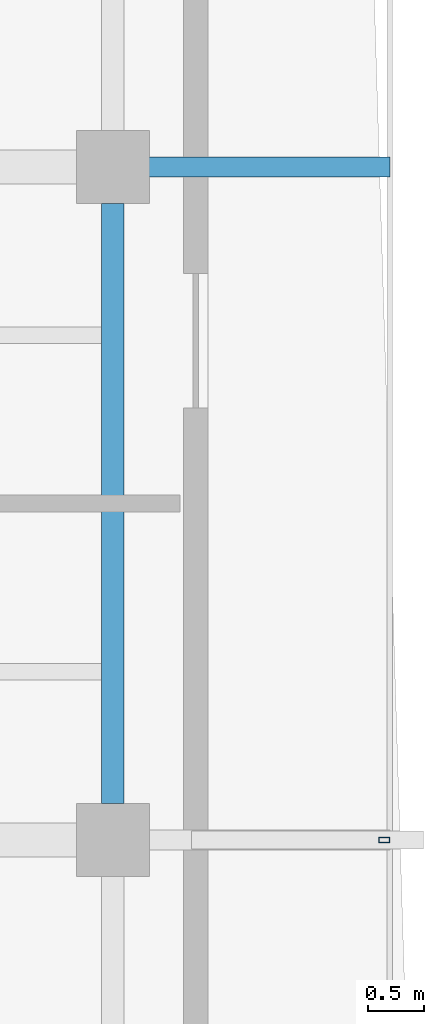
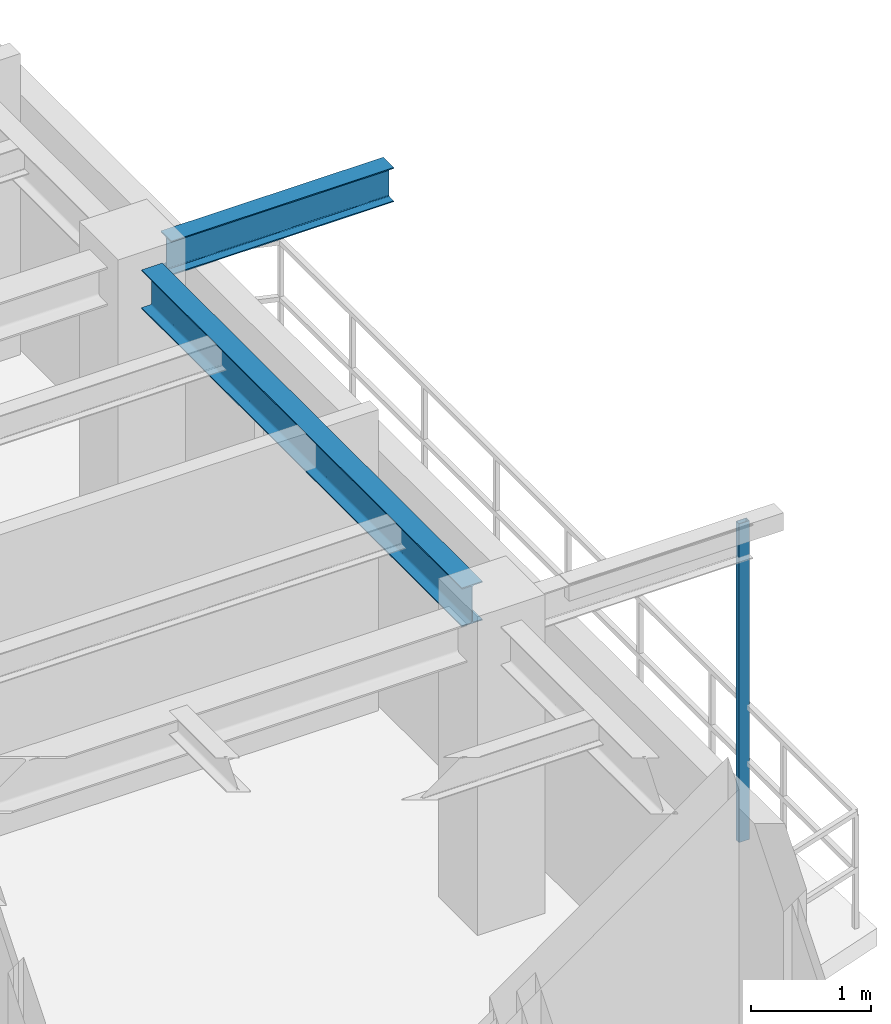
# One storey, part 7 of 14: 2 beams, 1 member.
"""IFC4 building model written with IfcOpenShell, lengths in metres."""

from ifc_helpers import new_model, si_unit, direction, frame, origin, origin_2d, place, context, subcontext, project, spatial, hollow_rectangle, i_section, extrude, source, transform, mapped, material, material_profile, profile_set, type_object, element, save


model = new_model("IFC4")

# Units and contexts
model_context = context("Model", 3, precision=1e-05, world=origin(), true_north=direction((0.0, 1.0)))
body_context = subcontext(model_context, "Body", "Model", "MODEL_VIEW")
ifc_project = project(units=[si_unit("LENGTHUNIT", "METRE"), si_unit("AREAUNIT", "SQUARE_METRE"), si_unit("VOLUMEUNIT", "CUBIC_METRE"), si_unit("PLANEANGLEUNIT", "RADIAN"), si_unit("MASSUNIT", "GRAM", prefix="KILO"), si_unit("THERMODYNAMICTEMPERATUREUNIT", "KELVIN"), si_unit("POWERUNIT", "WATT")], contexts=[model_context])

# Site, building, storey
site_placement = place(None, origin())
site = spatial("IfcSite", under=ifc_project, at=site_placement, CompositionType="ELEMENT")
building_placement = place(site_placement, origin())
building = spatial("IfcBuilding", under=site, at=building_placement, Name="Qiaomeng Ring Towers", CompositionType="ELEMENT")
storey_placement = place(building_placement, frame((0.0, 0.0, 240.5)))
storey = spatial("IfcBuildingStorey", under=building, at=storey_placement, Name="L70", CompositionType="ELEMENT", Elevation=240.5)

# Beams
ifc_material_1 = material(Name="Steel Q355B", Category="steel")
ifc_material_profile_1 = material_profile(ifc_material_1, i_section(OverallWidth=0.198974609375, OverallDepth=0.39599609375, WebThickness=0.007080078125, FlangeThickness=0.010986328125, FilletRadius=0.01611328125, at=origin_2d()), Name="HN 396x199x7x11")
ifc_profile_set_1 = profile_set([ifc_material_profile_1], Name="Steel Q355B")
beam_type_1 = type_object("IfcBeamType", Name="STR-BM-HN396", PredefinedType="SPANDREL", material=ifc_profile_set_1)
shared_shape_1 = source(origin(), body_context, "Body", "SweptSolid", [
    extrude(i_section(OverallWidth=0.198974609375, OverallDepth=0.39599609375, WebThickness=0.007080078125, FlangeThickness=0.010986328125, FilletRadius=0.01611328125, at=origin_2d()), origin(), (0.0, 0.0, 1.0), 5.35205078125),
])
beam_1_placement = place(storey_placement, frame((33.85009765625, 20.323974609375, 2.8720703125), z_axis=(0.0, 1.0, 0.0), x_axis=(-1.0, 0.0, 0.0)))
element("IfcBeam", 1, at=beam_1_placement, inside=storey, type_object=beam_type_1, Name="L70 beam STR-SP-L70-T1-E2-E3", PredefinedType="SPANDREL", context=body_context, shape_type="MappedRepresentation", body=[
    mapped(shared_shape_1, transform((0.0, 0.0, 0.0), x_axis=(1.0, 0.0, 0.0), y_axis=(0.0, 1.0, 0.0), z_axis=(0.0, 0.0, 1.0), scale=1.0)),
])
ifc_material_profile_2 = material_profile(ifc_material_1, i_section(OverallWidth=0.175048828125, OverallDepth=0.35009765625, WebThickness=0.007080078125, FlangeThickness=0.010986328125, FilletRadius=0.013916015625, at=origin_2d()), Name="HN 350x175x7x11")
ifc_profile_set_2 = profile_set([ifc_material_profile_2], Name="Steel Q355B")
beam_type_2 = type_object("IfcBeamType", Name="STR-BM-HN350", PredefinedType="JOIST", material=ifc_profile_set_2)
shared_shape_2 = source(origin(), body_context, "Body", "SweptSolid", [
    extrude(i_section(OverallWidth=0.175048828125, OverallDepth=0.35009765625, WebThickness=0.007080078125, FlangeThickness=0.010986328125, FilletRadius=0.013916015625, at=origin_2d()), origin(), (0.0, 0.0, 1.0), 2.14599609375),
])
beam_2_placement = place(storey_placement, frame((34.174072265625, 26.0, 2.89501953125), z_axis=(1.0, 0.0, 0.0), x_axis=(0.0, 1.0, 0.0)))
element("IfcBeam", 2, at=beam_2_placement, inside=storey, type_object=beam_type_2, Name="L70 beam STR-BALBM-L70-E3", PredefinedType="JOIST", context=body_context, shape_type="MappedRepresentation", body=[
    mapped(shared_shape_2, transform((0.0, 0.0, 0.0), x_axis=(1.0, 0.0, 0.0), y_axis=(0.0, 1.0, 0.0), z_axis=(0.0, 0.0, 1.0), scale=1.0)),
])

# Member
ifc_material_2 = material(Name="Stainless steel 316", Category="steel")
ifc_material_profile_3 = material_profile(ifc_material_2, hollow_rectangle(XDim=0.050048828125, YDim=0.10009765625, WallThickness=0.00390625, at=origin_2d()), Name="SS TRELLIS 100x50")
ifc_profile_set_3 = profile_set([ifc_material_profile_3], Name="Stainless steel 316")
member_type = type_object("IfcMemberType", Name="ARC-TR-POST2", PredefinedType="STUD", material=ifc_profile_set_3)
shared_shape_3 = source(origin(), body_context, "Body", "SweptSolid", [
    extrude(hollow_rectangle(XDim=0.050048828125, YDim=0.10009765625, WallThickness=0.00390625, at=origin_2d()), origin(), (0.0, 0.0, 1.0), 3.25),
])
member_placement = place(storey_placement, frame((36.27001953125, 20.0, -0.179931640625), z_axis=(0.0, 0.0, 1.0), x_axis=(0.0, 1.0, 0.0)))
element("IfcMember", 3, at=member_placement, inside=storey, type_object=member_type, Name="L70 Outer Ventilated Trellis Post E", PredefinedType="STUD", context=body_context, shape_type="MappedRepresentation", body=[
    mapped(shared_shape_3, transform((0.0, 0.0, 0.0), x_axis=(1.0, 0.0, 0.0), y_axis=(0.0, 1.0, 0.0), z_axis=(0.0, 0.0, 1.0), scale=1.0)),
])

save(model, "model.ifc")
